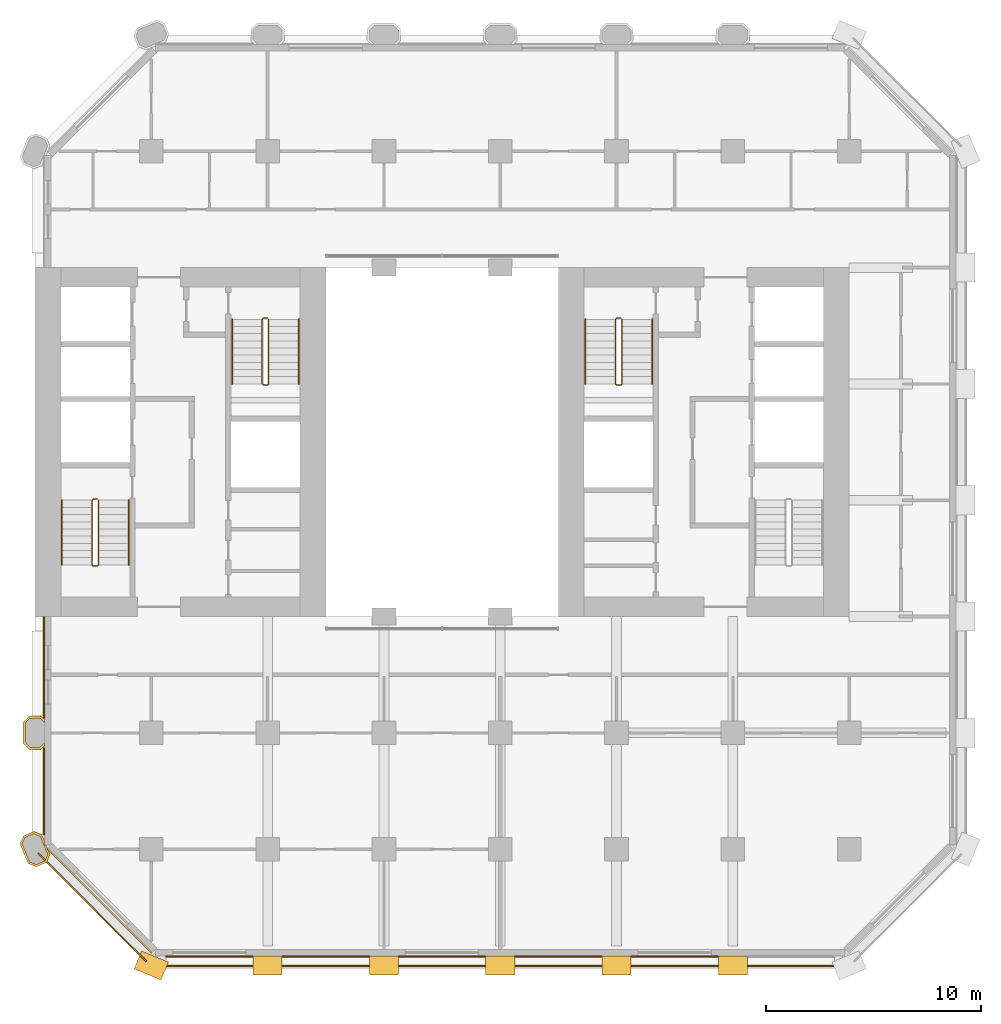
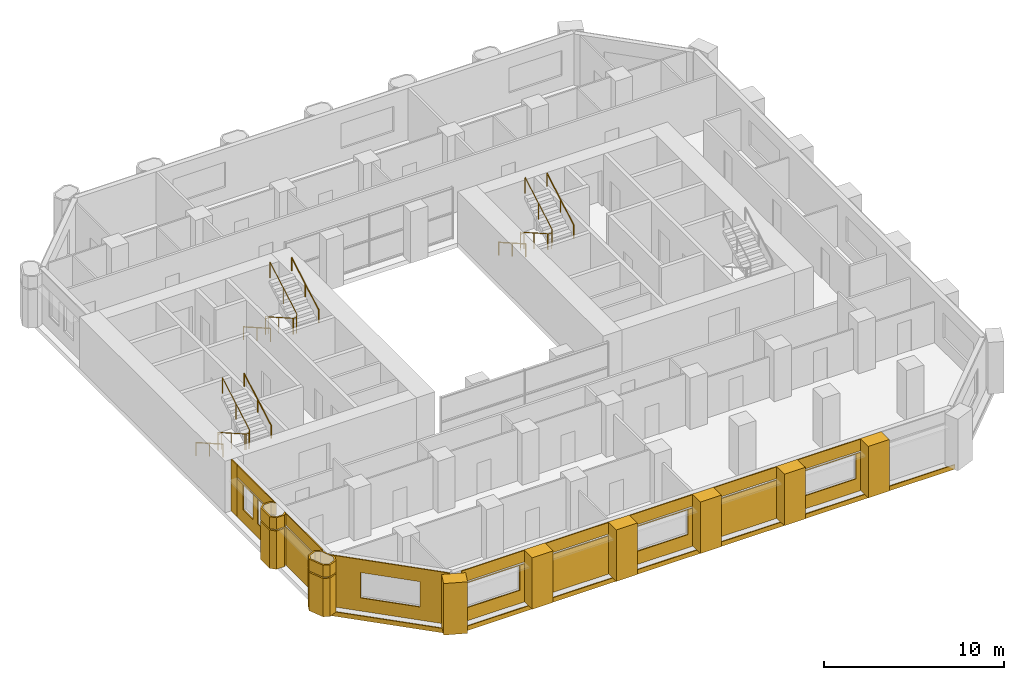
# One storey, part 12 of 13: 28 coverings, 9 railings.
"""IFC4 building model written with IfcOpenShell, lengths in metres."""

from ifc_helpers import new_model, si_unit, direction, frame, frame_2d, origin, origin_2d, place, context, subcontext, project, spatial, polyline, rectangle, circle, outline, extrude, material, layer, layer_set, type_object, element, save


model = new_model("IFC4")

# Units and contexts
model_context = context("Model", 3, precision=1e-05, world=origin(), true_north=direction((0.0, 1.0)))
body_context = subcontext(model_context, "Body", "Model", "MODEL_VIEW")
ifc_project = project(units=[si_unit("LENGTHUNIT", "METRE"), si_unit("AREAUNIT", "SQUARE_METRE"), si_unit("VOLUMEUNIT", "CUBIC_METRE"), si_unit("PLANEANGLEUNIT", "RADIAN"), si_unit("MASSUNIT", "GRAM", prefix="KILO")], contexts=[model_context])

# Site, building, storey
site_placement = place(None, origin())
site = spatial("IfcSite", under=ifc_project, at=site_placement, CompositionType="ELEMENT")
building_placement = place(site_placement, origin())
building = spatial("IfcBuilding", under=site, at=building_placement, Name="Tabaq Tower and Sports Hall", CompositionType="ELEMENT")
storey_placement = place(building_placement, frame((0.0, 0.0, 48.800048828125)))
storey = spatial("IfcBuildingStorey", under=building, at=storey_placement, Name="L10", CompositionType="ELEMENT", Elevation=48.800048828125)

# Coverings
ifc_material_1 = material(Name="Precast concrete C60/75", Category="concrete")
ifc_layer_1 = layer(ifc_material_1, 0.10009765625)
ifc_layer_set_1 = layer_set([ifc_layer_1], Name="Column cladding 100")
covering_type_1 = type_object("IfcCoveringType", Name="Column cladding 100", PredefinedType="CLADDING", material=ifc_layer_set_1)
covering_1_placement = place(storey_placement, origin())
element("IfcCovering", 1, at=covering_1_placement, inside=storey, type_object=covering_type_1, Name="Column cladding L10 PC-2B-O1", PredefinedType="CLADDING", context=body_context, shape_type="SweptSolid", body=[
    extrude(outline(polyline([(5.450439453125, 4.582275390625), (5.080078125, 4.73583984375), (4.7041015625, 5.6435546875), (4.857421875, 6.013916015625), (5.349609375, 6.217529296875), (5.7197265625, 6.064208984375), (5.849609375, 5.750732421875), (5.849609375, 5.586181640625), (5.91796875, 5.586181640625), (5.9814453125, 5.432373046875), (5.9501953125, 5.401123046875), (6.026123046875, 5.3251953125), (6.095947265625, 5.156494140625), (5.9423828125, 4.7861328125), (5.450439453125, 4.582275390625)]), holes=[polyline([(5.349609375, 6.110107421875), (4.93359375, 5.937744140625), (4.811767578125, 5.6435546875), (5.15625, 4.811767578125), (5.450439453125, 4.68994140625), (5.866455078125, 4.8623046875), (5.98828125, 5.156494140625), (5.643798828125, 5.98828125), (5.349609375, 6.110107421875)])]), origin(), (0.0, 0.0, 1.0), 2.599853515625),
])
covering_2_placement = place(storey_placement, frame((0.0, 0.0, 2.699951171875)))
element("IfcCovering", 2, at=covering_2_placement, inside=storey, type_object=covering_type_1, Name="Column cladding L10 PC-2B-O1 2", PredefinedType="CLADDING", context=body_context, shape_type="SweptSolid", body=[
    extrude(outline(polyline([(5.450439453125, 4.582275390625), (5.080078125, 4.73583984375), (4.7041015625, 5.6435546875), (4.857421875, 6.013916015625), (5.349609375, 6.217529296875), (5.7197265625, 6.064208984375), (5.849609375, 5.750732421875), (5.849609375, 5.586181640625), (5.91796875, 5.586181640625), (5.9814453125, 5.432373046875), (5.9501953125, 5.401123046875), (6.026123046875, 5.3251953125), (6.095947265625, 5.156494140625), (5.9423828125, 4.7861328125), (5.450439453125, 4.582275390625)]), holes=[polyline([(5.349609375, 6.110107421875), (4.93359375, 5.937744140625), (4.811767578125, 5.6435546875), (5.15625, 4.811767578125), (5.450439453125, 4.68994140625), (5.866455078125, 4.8623046875), (5.98828125, 5.156494140625), (5.643798828125, 5.98828125), (5.349609375, 6.110107421875)])]), origin(), (0.0, 0.0, 1.0), 0.800048828125),
])
covering_3_placement = place(storey_placement, origin())
element("IfcCovering", 3, at=covering_3_placement, inside=storey, type_object=covering_type_1, Name="Column cladding L10 PC-2C-O1", PredefinedType="CLADDING", context=body_context, shape_type="SweptSolid", body=[
    extrude(outline(polyline([(5.1337890625, 10.025390625), (4.850341796875, 10.30859375), (4.850341796875, 11.291259765625), (5.1337890625, 11.57470703125), (5.666259765625, 11.57470703125), (5.849609375, 11.391357421875), (5.849609375, 11.250732421875), (5.625244140625, 11.475341796875), (5.1748046875, 11.475341796875), (4.94970703125, 11.250244140625), (4.94970703125, 10.349853515625), (5.1748046875, 10.124755859375), (5.625244140625, 10.124755859375), (5.849609375, 10.349365234375), (5.849609375, 10.208740234375), (5.666259765625, 10.025390625), (5.1337890625, 10.025390625)])), origin(), (0.0, 0.0, 1.0), 2.599853515625),
])
covering_4_placement = place(storey_placement, frame((0.0, 0.0, 2.699951171875)))
element("IfcCovering", 4, at=covering_4_placement, inside=storey, type_object=covering_type_1, Name="Column cladding L10 PC-2C-O1 2", PredefinedType="CLADDING", context=body_context, shape_type="SweptSolid", body=[
    extrude(outline(polyline([(5.1337890625, 10.025390625), (4.850341796875, 10.30859375), (4.850341796875, 11.291259765625), (5.1337890625, 11.57470703125), (5.666259765625, 11.57470703125), (5.849609375, 11.391357421875), (5.849609375, 11.250732421875), (5.625244140625, 11.475341796875), (5.1748046875, 11.475341796875), (4.94970703125, 11.250244140625), (4.94970703125, 10.349853515625), (5.1748046875, 10.124755859375), (5.625244140625, 10.124755859375), (5.849609375, 10.349365234375), (5.849609375, 10.208740234375), (5.666259765625, 10.025390625), (5.1337890625, 10.025390625)])), origin(), (0.0, 0.0, 1.0), 0.800048828125),
])
ifc_material_2 = material(Name="Precast concrete C60/75", Category="concrete")
ifc_layer_2 = layer(ifc_material_2, 0.06005859375)
ifc_layer_set_2 = layer_set([ifc_layer_2], Name="Edge beam cladding 60")
covering_type_2 = type_object("IfcCoveringType", Name="Edge beam cladding 60", PredefinedType="CLADDING", material=ifc_layer_set_2)
covering_5_placement = place(storey_placement, frame((11.0986328125, -0.030029296875, -0.300048828125), z_axis=(0.0, 0.0, 1.0), x_axis=(1.0, 0.0, 0.0)))
element("IfcCovering", 5, at=covering_5_placement, inside=storey, type_object=covering_type_2, Name="Edge beam cladding L10 1", PredefinedType="CLADDING", context=body_context, shape_type="SweptSolid", body=[
    extrude(rectangle(XDim=31.802734375, YDim=0.06005859375, at=frame_2d((15.9013671875, 0.0))), origin(), (0.0, 0.0, 1.0), 0.300048828125),
])
covering_6_placement = place(storey_placement, frame((5.5556640625, 5.201904296875, -0.300048828125), z_axis=(0.0, 0.0, 1.0), x_axis=(0.707106781187, -0.707106781187, 0.0)))
element("IfcCovering", 6, at=covering_6_placement, inside=storey, type_object=covering_type_2, Name="Edge beam cladding L10 5", PredefinedType="CLADDING", context=body_context, shape_type="SweptSolid", body=[
    extrude(rectangle(XDim=7.087890625, YDim=0.06005859375, at=frame_2d((3.5439453125, 0.0))), origin(), (0.0, 0.0, 1.0), 0.300048828125),
])
ifc_material_3 = material(Name="White precast concrete C60/75", Category="concrete")
covering_type_3 = type_object("IfcCoveringType", Name="Pier cladding hung 1350x900", PredefinedType="CLADDING", material=ifc_material_3)
for number, where, z_axis, x_axis, name in (
    (7, (10.17626953125, 0.25830078125, 0.0), (0.0, 0.0, 1.0), (0.923893411637, -0.382649923473, 0.0), "Hung pier cladding 2/0"),
    (8, (15.52490234375, 0.0, 0.0), (0.0, 0.0, 1.0), (1.0, 0.0, 0.0), "Hung pier cladding 3/0"),
):
    element("IfcCovering", number, at=place(storey_placement, frame(where, z_axis=z_axis, x_axis=x_axis)), inside=storey, type_object=covering_type_3, Name=name, PredefinedType="CLADDING", context=body_context, shape_type="SweptSolid", body=[
        extrude(rectangle(XDim=1.35009765625, YDim=0.89990234375, at=frame_2d((0.675048828125, 0.0))), origin(), (0.0, 0.0, 1.0), 3.5),
    ])
covering_7_placement = place(storey_placement, frame((20.925048828125, 0.0, 0.0), z_axis=(0.0, 0.0, 1.0), x_axis=(1.0, 0.0, 0.0)))
element("IfcCovering", 9, at=covering_7_placement, inside=storey, type_object=covering_type_3, Name="Hung pier cladding 4/0", PredefinedType="CLADDING", context=body_context, shape_type="SweptSolid", body=[
    extrude(rectangle(XDim=1.349853515625, YDim=0.89990234375, at=frame_2d((0.6748046875, 0.0))), origin(), (0.0, 0.0, 1.0), 3.5),
])
covering_8_placement = place(storey_placement, frame((26.324951171875, 0.0, 0.0), z_axis=(0.0, 0.0, 1.0), x_axis=(1.0, 0.0, 0.0)))
element("IfcCovering", 10, at=covering_8_placement, inside=storey, type_object=covering_type_3, Name="Hung pier cladding 5/0", PredefinedType="CLADDING", context=body_context, shape_type="SweptSolid", body=[
    extrude(rectangle(XDim=1.35009765625, YDim=0.89990234375, at=frame_2d((0.675048828125, 0.0))), origin(), (0.0, 0.0, 1.0), 3.5),
])
covering_9_placement = place(storey_placement, frame((31.72509765625, 0.0, 0.0), z_axis=(0.0, 0.0, 1.0), x_axis=(1.0, 0.0, 0.0)))
element("IfcCovering", 11, at=covering_9_placement, inside=storey, type_object=covering_type_3, Name="Hung pier cladding 6/0", PredefinedType="CLADDING", context=body_context, shape_type="SweptSolid", body=[
    extrude(rectangle(XDim=1.349853515625, YDim=0.89990234375, at=frame_2d((0.6748046875, 0.0))), origin(), (0.0, 0.0, 1.0), 3.5),
])
covering_10_placement = place(storey_placement, frame((37.125, 0.0, 0.0), z_axis=(0.0, 0.0, 1.0), x_axis=(1.0, 0.0, 0.0)))
element("IfcCovering", 12, at=covering_10_placement, inside=storey, type_object=covering_type_3, Name="Hung pier cladding 7/0", PredefinedType="CLADDING", context=body_context, shape_type="SweptSolid", body=[
    extrude(rectangle(XDim=1.35009765625, YDim=0.89990234375, at=frame_2d((0.675048828125, 0.0))), origin(), (0.0, 0.0, 1.0), 3.5),
])

# Railings
ifc_material_4 = material(Name="Stainless steel", Category="steel")
railing_type_1 = type_object("IfcRailingType", Name="Stair guard", PredefinedType="GUARDRAIL", material=ifc_material_4)
railing_1_placement = place(storey_placement, frame((8.300048828125, 21.64990234375, 0.0)))
element("IfcRailing", 13, at=railing_1_placement, inside=storey, type_object=railing_type_1, Name="L10 ST1 stair guard 1", PredefinedType="GUARDRAIL", context=body_context, shape_type="SweptSolid", body=[
    extrude(circle(Radius=0.02392578125, at=origin_2d()), frame((0.0, 0.0, 1.076171875), z_axis=(-1.0, 0.0, 0.0), x_axis=(0.0, -1.0, 0.0)), (0.0, 0.0, 1.0), 0.199951171875),
    extrude(circle(Radius=0.02392578125, at=origin_2d()), frame((-0.199951171875, 0.0, 1.076171875), z_axis=(-0.246983470365, -0.245778672949, 0.937332389972), x_axis=(0.705375805398, -0.708833529934, 0.0)), (0.0, 0.0, 1.0), 0.20263671875),
    extrude(circle(Radius=0.02392578125, at=origin_2d()), frame((-0.25, -0.0498046875, 1.26611328125), z_axis=(0.0, -0.868782136927, 0.495194505781), x_axis=(1.0, 0.0, 0.0)), (0.0, 0.0, 1.0), 3.453125),
    extrude(circle(Radius=0.02392578125, at=origin_2d()), frame((-0.25, -3.0498046875, 2.97607421875), z_axis=(0.707106781187, -0.707106781187, 0.0), x_axis=(0.707106781187, 0.707106781187, 0.0)), (0.0, 0.0, 1.0), 0.07080078125),
    extrude(circle(Radius=0.02392578125, at=origin_2d()), frame((-0.199951171875, -3.099853515625, 2.97607421875), z_axis=(1.0, 0.0, 0.0), x_axis=(0.0, 1.0, 0.0)), (0.0, 0.0, 1.0), 0.199951171875),
    extrude(circle(Radius=0.02392578125, at=origin_2d()), frame((0.0, -3.099853515625, 2.97607421875), z_axis=(0.246910188598, 0.246910188598, 0.937054276727), x_axis=(-0.707106781187, 0.707106781187, 0.0)), (0.0, 0.0, 1.0), 0.20263671875),
    extrude(circle(Radius=0.02392578125, at=origin_2d()), frame((0.050048828125, -3.0498046875, 3.166015625), z_axis=(0.0, 0.868751719353, 0.495247867356), x_axis=(-1.0, 0.0, 0.0)), (0.0, 0.0, 1.0), 3.453125),
    extrude(circle(Radius=0.02099609375, at=origin_2d()), origin(), (0.0, 0.0, 1.0), 1.052001953125),
    extrude(circle(Radius=0.02099609375, at=origin_2d()), frame((-0.199951171875, 0.0, 0.0)), (0.0, 0.0, 1.0), 1.052001953125),
    extrude(circle(Radius=0.02099609375, at=origin_2d()), frame((-0.25, -0.0498046875, 0.18994140625)), (0.0, 0.0, 1.0), 1.052001953125),
    extrude(circle(Radius=0.02099609375, at=origin_2d()), frame((-0.25, -1.5498046875, 1.044921875)), (0.0, 0.0, 1.0), 1.052001953125),
    extrude(circle(Radius=0.02099609375, at=origin_2d()), frame((-0.25, -3.0498046875, 1.89990234375)), (0.0, 0.0, 1.0), 1.052001953125),
    extrude(circle(Radius=0.02099609375, at=origin_2d()), frame((-0.199951171875, -3.099853515625, 1.89990234375)), (0.0, 0.0, 1.0), 1.052001953125),
    extrude(circle(Radius=0.02099609375, at=origin_2d()), frame((0.0, -3.099853515625, 1.89990234375)), (0.0, 0.0, 1.0), 1.052001953125),
    extrude(circle(Radius=0.02099609375, at=origin_2d()), frame((0.050048828125, -3.0498046875, 2.08984375)), (0.0, 0.0, 1.0), 1.052001953125),
    extrude(circle(Radius=0.02099609375, at=origin_2d()), frame((0.050048828125, -1.5498046875, 2.94482421875)), (0.0, 0.0, 1.0), 1.052001953125),
    extrude(circle(Radius=0.02099609375, at=origin_2d()), frame((0.050048828125, -0.0498046875, 3.800048828125)), (0.0, 0.0, 1.0), 1.052001953125),
])
railing_2_placement = place(storey_placement, frame((16.199951171875, 30.050048828125, 0.0)))
element("IfcRailing", 14, at=railing_2_placement, inside=storey, type_object=railing_type_1, Name="L10 ST2 stair guard 1", PredefinedType="GUARDRAIL", context=body_context, shape_type="SweptSolid", body=[
    extrude(circle(Radius=0.02392578125, at=origin_2d()), frame((0.0, 0.0, 1.076171875), z_axis=(-1.0, 0.0, 0.0), x_axis=(0.0, -1.0, 0.0)), (0.0, 0.0, 1.0), 0.199951171875),
    extrude(circle(Radius=0.02392578125, at=origin_2d()), frame((-0.199951171875, 0.0, 1.076171875), z_axis=(-0.246910188598, -0.246910188598, 0.937054276727), x_axis=(0.707106781187, -0.707106781187, 0.0)), (0.0, 0.0, 1.0), 0.20263671875),
    extrude(circle(Radius=0.02392578125, at=origin_2d()), frame((-0.25, -0.050048828125, 1.26611328125), z_axis=(0.0, -0.868782136927, 0.495194505781), x_axis=(1.0, 0.0, 0.0)), (0.0, 0.0, 1.0), 3.453125),
    extrude(circle(Radius=0.02392578125, at=origin_2d()), frame((-0.25, -3.050048828125, 2.97607421875), z_axis=(0.707106781187, -0.707106781187, 0.0), x_axis=(0.707106781187, 0.707106781187, 0.0)), (0.0, 0.0, 1.0), 0.07080078125),
    extrude(circle(Radius=0.02392578125, at=origin_2d()), frame((-0.199951171875, -3.10009765625, 2.97607421875), z_axis=(1.0, 0.0, 0.0), x_axis=(0.0, 1.0, 0.0)), (0.0, 0.0, 1.0), 0.199951171875),
    extrude(circle(Radius=0.02392578125, at=origin_2d()), frame((0.0, -3.10009765625, 2.97607421875), z_axis=(0.246910188598, 0.246910188598, 0.937054276727), x_axis=(-0.707106781187, 0.707106781187, 0.0)), (0.0, 0.0, 1.0), 0.20263671875),
    extrude(circle(Radius=0.02392578125, at=origin_2d()), frame((0.050048828125, -3.050048828125, 3.166015625), z_axis=(0.0, 0.868751719353, 0.495247867356), x_axis=(-1.0, 0.0, 0.0)), (0.0, 0.0, 1.0), 3.453125),
    extrude(circle(Radius=0.02099609375, at=origin_2d()), origin(), (0.0, 0.0, 1.0), 1.052001953125),
    extrude(circle(Radius=0.02099609375, at=origin_2d()), frame((-0.199951171875, 0.0, 0.0)), (0.0, 0.0, 1.0), 1.052001953125),
    extrude(circle(Radius=0.02099609375, at=origin_2d()), frame((-0.25, -0.050048828125, 0.18994140625)), (0.0, 0.0, 1.0), 1.052001953125),
    extrude(circle(Radius=0.02099609375, at=origin_2d()), frame((-0.25, -1.550048828125, 1.044921875)), (0.0, 0.0, 1.0), 1.052001953125),
    extrude(circle(Radius=0.02099609375, at=origin_2d()), frame((-0.25, -3.050048828125, 1.89990234375)), (0.0, 0.0, 1.0), 1.052001953125),
    extrude(circle(Radius=0.02099609375, at=origin_2d()), frame((-0.199951171875, -3.10009765625, 1.89990234375)), (0.0, 0.0, 1.0), 1.052001953125),
    extrude(circle(Radius=0.02099609375, at=origin_2d()), frame((0.0, -3.10009765625, 1.89990234375)), (0.0, 0.0, 1.0), 1.052001953125),
    extrude(circle(Radius=0.02099609375, at=origin_2d()), frame((0.050048828125, -3.050048828125, 2.08984375)), (0.0, 0.0, 1.0), 1.052001953125),
    extrude(circle(Radius=0.02099609375, at=origin_2d()), frame((0.050048828125, -1.550048828125, 2.94482421875)), (0.0, 0.0, 1.0), 1.052001953125),
    extrude(circle(Radius=0.02099609375, at=origin_2d()), frame((0.050048828125, -0.050048828125, 3.800048828125)), (0.0, 0.0, 1.0), 1.052001953125),
])
railing_3_placement = place(storey_placement, frame((32.60009765625, 30.050048828125, 0.0)))
element("IfcRailing", 15, at=railing_3_placement, inside=storey, type_object=railing_type_1, Name="L10 ST4 stair guard 1", PredefinedType="GUARDRAIL", context=body_context, shape_type="SweptSolid", body=[
    extrude(circle(Radius=0.02392578125, at=origin_2d()), frame((0.0, 0.0, 1.076171875), z_axis=(-1.0, 0.0, 0.0), x_axis=(0.0, -1.0, 0.0)), (0.0, 0.0, 1.0), 0.2001953125),
    extrude(circle(Radius=0.02392578125, at=origin_2d()), frame((-0.2001953125, 0.0, 1.076171875), z_axis=(-0.245778672949, -0.246983470365, 0.937332389972), x_axis=(0.708833529934, -0.705375805398, 0.0)), (0.0, 0.0, 1.0), 0.20263671875),
    extrude(circle(Radius=0.02392578125, at=origin_2d()), frame((-0.25, -0.050048828125, 1.26611328125), z_axis=(0.0, -0.868782136927, 0.495194505781), x_axis=(1.0, 0.0, 0.0)), (0.0, 0.0, 1.0), 3.453125),
    extrude(circle(Radius=0.02392578125, at=origin_2d()), frame((-0.25, -3.050048828125, 2.97607421875), z_axis=(0.705375805398, -0.708833529934, 0.0), x_axis=(0.708833529934, 0.705375805398, 0.0)), (0.0, 0.0, 1.0), 0.070556640625),
    extrude(circle(Radius=0.02392578125, at=origin_2d()), frame((-0.2001953125, -3.10009765625, 2.97607421875), z_axis=(1.0, 0.0, 0.0), x_axis=(0.0, 1.0, 0.0)), (0.0, 0.0, 1.0), 0.2001953125),
    extrude(circle(Radius=0.02392578125, at=origin_2d()), frame((0.0, -3.10009765625, 2.97607421875), z_axis=(0.245778672949, 0.246983470365, 0.937332389972), x_axis=(-0.708833529934, 0.705375805398, 0.0)), (0.0, 0.0, 1.0), 0.20263671875),
    extrude(circle(Radius=0.02392578125, at=origin_2d()), frame((0.0498046875, -3.050048828125, 3.166015625), z_axis=(0.0, 0.868751719353, 0.495247867356), x_axis=(-1.0, 0.0, 0.0)), (0.0, 0.0, 1.0), 3.453125),
    extrude(circle(Radius=0.02099609375, at=origin_2d()), origin(), (0.0, 0.0, 1.0), 1.052001953125),
    extrude(circle(Radius=0.02099609375, at=origin_2d()), frame((-0.2001953125, 0.0, 0.0)), (0.0, 0.0, 1.0), 1.052001953125),
    extrude(circle(Radius=0.02099609375, at=origin_2d()), frame((-0.25, -0.050048828125, 0.18994140625)), (0.0, 0.0, 1.0), 1.052001953125),
    extrude(circle(Radius=0.02099609375, at=origin_2d()), frame((-0.25, -1.550048828125, 1.044921875)), (0.0, 0.0, 1.0), 1.052001953125),
    extrude(circle(Radius=0.02099609375, at=origin_2d()), frame((-0.25, -3.050048828125, 1.89990234375)), (0.0, 0.0, 1.0), 1.052001953125),
    extrude(circle(Radius=0.02099609375, at=origin_2d()), frame((-0.2001953125, -3.10009765625, 1.89990234375)), (0.0, 0.0, 1.0), 1.052001953125),
    extrude(circle(Radius=0.02099609375, at=origin_2d()), frame((0.0, -3.10009765625, 1.89990234375)), (0.0, 0.0, 1.0), 1.052001953125),
    extrude(circle(Radius=0.02099609375, at=origin_2d()), frame((0.0498046875, -3.050048828125, 2.08984375)), (0.0, 0.0, 1.0), 1.052001953125),
    extrude(circle(Radius=0.02099609375, at=origin_2d()), frame((0.0498046875, -1.550048828125, 2.94482421875)), (0.0, 0.0, 1.0), 1.052001953125),
    extrude(circle(Radius=0.02099609375, at=origin_2d()), frame((0.0498046875, -0.050048828125, 3.800048828125)), (0.0, 0.0, 1.0), 1.052001953125),
])
ifc_material_5 = material(Name="Stainless steel", Category="steel")
railing_type_2 = type_object("IfcRailingType", Name="Stair handrail", PredefinedType="HANDRAIL", material=ifc_material_5)
railing_4_placement = place(storey_placement, frame((6.64990234375, 21.60009765625, 0.18994140625)))
element("IfcRailing", 16, at=railing_4_placement, inside=storey, type_object=railing_type_2, Name="L10 ST1 stair handrail 1", PredefinedType="HANDRAIL", context=body_context, shape_type="SweptSolid", body=[
    extrude(circle(Radius=0.02392578125, at=origin_2d()), frame((0.0, 0.0, 0.8759765625), z_axis=(0.0, -0.868782136927, 0.495194505781), x_axis=(1.0, 0.0, 0.0)), (0.0, 0.0, 1.0), 3.453125),
    extrude(circle(Radius=0.02099609375, at=origin_2d()), origin(), (0.0, 0.0, 1.0), 0.851806640625),
    extrude(circle(Radius=0.02099609375, at=origin_2d()), frame((0.0, -1.5, 0.85498046875)), (0.0, 0.0, 1.0), 0.851806640625),
    extrude(circle(Radius=0.02099609375, at=origin_2d()), frame((0.0, -3.0, 1.7099609375)), (0.0, 0.0, 1.0), 0.851806640625),
])
railing_5_placement = place(storey_placement, frame((9.75, 18.60009765625, 2.08984375)))
element("IfcRailing", 17, at=railing_5_placement, inside=storey, type_object=railing_type_2, Name="L10 ST1 stair handrail 2", PredefinedType="HANDRAIL", context=body_context, shape_type="SweptSolid", body=[
    extrude(circle(Radius=0.02392578125, at=origin_2d()), frame((0.0, 0.0, 0.8759765625), z_axis=(0.0, 0.868751719353, 0.495247867356), x_axis=(-1.0, 0.0, 0.0)), (0.0, 0.0, 1.0), 3.453125),
    extrude(circle(Radius=0.02099609375, at=origin_2d()), origin(), (0.0, 0.0, 1.0), 0.851806640625),
    extrude(circle(Radius=0.02099609375, at=origin_2d()), frame((0.0, 1.5, 0.85498046875)), (0.0, 0.0, 1.0), 0.851806640625),
    extrude(circle(Radius=0.02099609375, at=origin_2d()), frame((0.0, 3.0, 1.710205078125)), (0.0, 0.0, 1.0), 0.851806640625),
])
railing_6_placement = place(storey_placement, frame((14.550048828125, 30.0, 0.18994140625)))
element("IfcRailing", 18, at=railing_6_placement, inside=storey, type_object=railing_type_2, Name="L10 ST2 stair handrail 1", PredefinedType="HANDRAIL", context=body_context, shape_type="SweptSolid", body=[
    extrude(circle(Radius=0.02392578125, at=origin_2d()), frame((0.0, 0.0, 0.8759765625), z_axis=(0.0, -0.868782136927, 0.495194505781), x_axis=(1.0, 0.0, 0.0)), (0.0, 0.0, 1.0), 3.453125),
    extrude(circle(Radius=0.02099609375, at=origin_2d()), origin(), (0.0, 0.0, 1.0), 0.851806640625),
    extrude(circle(Radius=0.02099609375, at=origin_2d()), frame((0.0, -1.5, 0.85498046875)), (0.0, 0.0, 1.0), 0.851806640625),
    extrude(circle(Radius=0.02099609375, at=origin_2d()), frame((0.0, -3.0, 1.7099609375)), (0.0, 0.0, 1.0), 0.851806640625),
])
railing_7_placement = place(storey_placement, frame((17.64990234375, 27.0, 2.08984375)))
element("IfcRailing", 19, at=railing_7_placement, inside=storey, type_object=railing_type_2, Name="L10 ST2 stair handrail 2", PredefinedType="HANDRAIL", context=body_context, shape_type="SweptSolid", body=[
    extrude(circle(Radius=0.02392578125, at=origin_2d()), frame((0.0, 0.0, 0.8759765625), z_axis=(0.0, 0.868751719353, 0.495247867356), x_axis=(-1.0, 0.0, 0.0)), (0.0, 0.0, 1.0), 3.453125),
    extrude(circle(Radius=0.02099609375, at=origin_2d()), origin(), (0.0, 0.0, 1.0), 0.851806640625),
    extrude(circle(Radius=0.02099609375, at=origin_2d()), frame((0.0, 1.5, 0.85498046875)), (0.0, 0.0, 1.0), 0.851806640625),
    extrude(circle(Radius=0.02099609375, at=origin_2d()), frame((0.0, 3.0, 1.710205078125)), (0.0, 0.0, 1.0), 0.851806640625),
])
railing_8_placement = place(storey_placement, frame((30.949951171875, 30.0, 0.18994140625)))
element("IfcRailing", 20, at=railing_8_placement, inside=storey, type_object=railing_type_2, Name="L10 ST4 stair handrail 1", PredefinedType="HANDRAIL", context=body_context, shape_type="SweptSolid", body=[
    extrude(circle(Radius=0.02392578125, at=origin_2d()), frame((0.0, 0.0, 0.8759765625), z_axis=(0.0, -0.868782136927, 0.495194505781), x_axis=(1.0, 0.0, 0.0)), (0.0, 0.0, 1.0), 3.453125),
    extrude(circle(Radius=0.02099609375, at=origin_2d()), origin(), (0.0, 0.0, 1.0), 0.851806640625),
    extrude(circle(Radius=0.02099609375, at=origin_2d()), frame((0.0, -1.5, 0.85498046875)), (0.0, 0.0, 1.0), 0.851806640625),
    extrude(circle(Radius=0.02099609375, at=origin_2d()), frame((0.0, -3.0, 1.7099609375)), (0.0, 0.0, 1.0), 0.851806640625),
])
railing_9_placement = place(storey_placement, frame((34.050048828125, 27.0, 2.08984375)))
element("IfcRailing", 21, at=railing_9_placement, inside=storey, type_object=railing_type_2, Name="L10 ST4 stair handrail 2", PredefinedType="HANDRAIL", context=body_context, shape_type="SweptSolid", body=[
    extrude(circle(Radius=0.02392578125, at=origin_2d()), frame((0.0, 0.0, 0.8759765625), z_axis=(0.0, 0.868751719353, 0.495247867356), x_axis=(-1.0, 0.0, 0.0)), (0.0, 0.0, 1.0), 3.453125),
    extrude(circle(Radius=0.02099609375, at=origin_2d()), origin(), (0.0, 0.0, 1.0), 0.851806640625),
    extrude(circle(Radius=0.02099609375, at=origin_2d()), frame((0.0, 1.5, 0.85498046875)), (0.0, 0.0, 1.0), 0.851806640625),
    extrude(circle(Radius=0.02099609375, at=origin_2d()), frame((0.0, 3.0, 1.710205078125)), (0.0, 0.0, 1.0), 0.851806640625),
])

# Coverings
ifc_material_6 = material(Name="Precast concrete C60/75", Category="concrete")
ifc_layer_3 = layer(ifc_material_6, 0.06005859375)
ifc_layer_set_3 = layer_set([ifc_layer_3], Name="White precast cladding panel 60 C60/75")
covering_type_4 = type_object("IfcCoveringType", Name="White precast cladding panel 60 C60/75", PredefinedType="CLADDING", material=ifc_layer_set_3)
covering_11_placement = place(storey_placement, frame((11.465087890625, 0.419921875, 0.0), z_axis=(0.0, 0.0, 1.0), x_axis=(1.0, 0.0, 0.0)))
element("IfcCovering", 22, at=covering_11_placement, inside=storey, type_object=covering_type_4, Name="White precast cladding panel L10 wall00", PredefinedType="CLADDING", context=body_context, shape_type="SweptSolid", body=[
    extrude(outline(polyline([(0.0, 0.0), (4.0498046875, 0.0), (4.0498046875, 2.58984375), (0.0, 2.58984375), (0.0, 0.0)]), holes=[polyline([(3.7451171875, 0.889892578125), (0.324951171875, 0.889892578125), (0.324951171875, 2.56005859375), (3.7451171875, 2.56005859375), (3.7451171875, 0.889892578125)])]), frame((0.0, 0.030029296875, 0.0), z_axis=(0.0, -1.0, 0.0), x_axis=(1.0, 0.0, 0.0)), (0.0, 0.0, 1.0), 0.06005859375),
])
covering_12_placement = place(storey_placement, frame((11.465087890625, 0.419921875, 2.7099609375), z_axis=(0.0, 0.0, 1.0), x_axis=(1.0, 0.0, 0.0)))
element("IfcCovering", 23, at=covering_12_placement, inside=storey, type_object=covering_type_4, Name="White precast cladding panel L10 wall00 2", PredefinedType="CLADDING", context=body_context, shape_type="SweptSolid", body=[
    extrude(rectangle(XDim=4.0498046875, YDim=0.06005859375, at=frame_2d((2.02490234375, 0.0))), origin(), (0.0, 0.0, 1.0), 0.7900390625),
])
covering_13_placement = place(storey_placement, frame((16.885009765625, 0.419921875, 0.0), z_axis=(0.0, 0.0, 1.0), x_axis=(1.0, 0.0, 0.0)))
element("IfcCovering", 24, at=covering_13_placement, inside=storey, type_object=covering_type_4, Name="White precast cladding panel L10 wall00 3", PredefinedType="CLADDING", context=body_context, shape_type="SweptSolid", body=[
    extrude(rectangle(XDim=4.030029296875, YDim=0.06005859375, at=frame_2d((2.01513671875, 0.0))), origin(), (0.0, 0.0, 1.0), 2.58984375),
])
covering_14_placement = place(storey_placement, frame((16.885009765625, 0.419921875, 2.7099609375), z_axis=(0.0, 0.0, 1.0), x_axis=(1.0, 0.0, 0.0)))
element("IfcCovering", 25, at=covering_14_placement, inside=storey, type_object=covering_type_4, Name="White precast cladding panel L10 wall00 4", PredefinedType="CLADDING", context=body_context, shape_type="SweptSolid", body=[
    extrude(rectangle(XDim=4.030029296875, YDim=0.06005859375, at=frame_2d((2.01513671875, 0.0))), origin(), (0.0, 0.0, 1.0), 0.7900390625),
])
covering_15_placement = place(storey_placement, frame((22.284912109375, 0.419921875, 0.0), z_axis=(0.0, 0.0, 1.0), x_axis=(1.0, 0.0, 0.0)))
element("IfcCovering", 26, at=covering_15_placement, inside=storey, type_object=covering_type_4, Name="White precast cladding panel L10 wall00 5", PredefinedType="CLADDING", context=body_context, shape_type="SweptSolid", body=[
    extrude(outline(polyline([(0.0, 0.0), (4.030029296875, 0.0), (4.030029296875, 2.58984375), (0.0, 2.58984375), (0.0, 0.0)]), holes=[polyline([(3.72509765625, 0.889892578125), (0.304931640625, 0.889892578125), (0.304931640625, 2.56005859375), (3.72509765625, 2.56005859375), (3.72509765625, 0.889892578125)])]), frame((0.0, 0.030029296875, 0.0), z_axis=(0.0, -1.0, 0.0), x_axis=(1.0, 0.0, 0.0)), (0.0, 0.0, 1.0), 0.06005859375),
])
covering_16_placement = place(storey_placement, frame((22.284912109375, 0.419921875, 2.7099609375), z_axis=(0.0, 0.0, 1.0), x_axis=(1.0, 0.0, 0.0)))
element("IfcCovering", 27, at=covering_16_placement, inside=storey, type_object=covering_type_4, Name="White precast cladding panel L10 wall00 6", PredefinedType="CLADDING", context=body_context, shape_type="SweptSolid", body=[
    extrude(rectangle(XDim=4.030029296875, YDim=0.06005859375, at=frame_2d((2.01513671875, 0.0))), origin(), (0.0, 0.0, 1.0), 0.7900390625),
])
covering_17_placement = place(storey_placement, frame((27.68505859375, 0.419921875, 0.0), z_axis=(0.0, 0.0, 1.0), x_axis=(1.0, 0.0, 0.0)))
element("IfcCovering", 28, at=covering_17_placement, inside=storey, type_object=covering_type_4, Name="White precast cladding panel L10 wall00 7", PredefinedType="CLADDING", context=body_context, shape_type="SweptSolid", body=[
    extrude(rectangle(XDim=4.030029296875, YDim=0.06005859375, at=frame_2d((2.01513671875, 0.0))), origin(), (0.0, 0.0, 1.0), 2.58984375),
])
covering_18_placement = place(storey_placement, frame((27.68505859375, 0.419921875, 2.7099609375), z_axis=(0.0, 0.0, 1.0), x_axis=(1.0, 0.0, 0.0)))
element("IfcCovering", 29, at=covering_18_placement, inside=storey, type_object=covering_type_4, Name="White precast cladding panel L10 wall00 8", PredefinedType="CLADDING", context=body_context, shape_type="SweptSolid", body=[
    extrude(rectangle(XDim=4.030029296875, YDim=0.06005859375, at=frame_2d((2.01513671875, 0.0))), origin(), (0.0, 0.0, 1.0), 0.7900390625),
])
covering_19_placement = place(storey_placement, frame((33.0849609375, 0.419921875, 0.0), z_axis=(0.0, 0.0, 1.0), x_axis=(1.0, 0.0, 0.0)))
element("IfcCovering", 30, at=covering_19_placement, inside=storey, type_object=covering_type_4, Name="White precast cladding panel L10 wall00 9", PredefinedType="CLADDING", context=body_context, shape_type="SweptSolid", body=[
    extrude(outline(polyline([(0.0, 0.0), (4.030029296875, 0.0), (4.030029296875, 2.58984375), (0.0, 2.58984375), (0.0, 0.0)]), holes=[polyline([(3.72509765625, 0.889892578125), (0.304931640625, 0.889892578125), (0.304931640625, 2.56005859375), (3.72509765625, 2.56005859375), (3.72509765625, 0.889892578125)])]), frame((0.0, 0.030029296875, 0.0), z_axis=(0.0, -1.0, 0.0), x_axis=(1.0, 0.0, 0.0)), (0.0, 0.0, 1.0), 0.06005859375),
])
covering_20_placement = place(storey_placement, frame((33.0849609375, 0.419921875, 2.7099609375), z_axis=(0.0, 0.0, 1.0), x_axis=(1.0, 0.0, 0.0)))
element("IfcCovering", 31, at=covering_20_placement, inside=storey, type_object=covering_type_4, Name="White precast cladding panel L10 wall00 10", PredefinedType="CLADDING", context=body_context, shape_type="SweptSolid", body=[
    extrude(rectangle(XDim=4.030029296875, YDim=0.06005859375, at=frame_2d((2.01513671875, 0.0))), origin(), (0.0, 0.0, 1.0), 0.7900390625),
])
covering_21_placement = place(storey_placement, frame((5.820068359375, 16.199951171875, 0.0), z_axis=(0.0, 0.0, 1.0), x_axis=(0.0, -1.0, 0.0)))
element("IfcCovering", 32, at=covering_21_placement, inside=storey, type_object=covering_type_4, Name="White precast cladding panel L10 wall06-1", PredefinedType="CLADDING", context=body_context, shape_type="SweptSolid", body=[
    extrude(rectangle(XDim=0.6650390625, YDim=0.06005859375, at=frame_2d((0.33251953125, 0.0))), origin(), (0.0, 0.0, 1.0), 3.5),
])
covering_22_placement = place(storey_placement, frame((5.820068359375, 15.534912109375, 0.0), z_axis=(0.0, 0.0, 1.0), x_axis=(0.0, -1.0, 0.0)))
element("IfcCovering", 33, at=covering_22_placement, inside=storey, type_object=covering_type_4, Name="White precast cladding panel L10 wall06-1 2", PredefinedType="CLADDING", context=body_context, shape_type="SweptSolid", body=[
    extrude(outline(polyline([(0.0, 0.0), (4.0498046875, 0.0), (4.0498046875, 2.58984375), (0.0, 2.58984375), (0.0, 0.0)]), holes=[polyline([(0.675048828125, 0.889892578125), (0.675048828125, 2.56005859375), (1.794921875, 2.56005859375), (1.794921875, 0.889892578125), (0.675048828125, 0.889892578125)]), polyline([(2.27490234375, 0.889892578125), (2.27490234375, 2.56005859375), (3.39501953125, 2.56005859375), (3.39501953125, 0.889892578125), (2.27490234375, 0.889892578125)])]), frame((0.0, 0.030029296875, 0.0), z_axis=(0.0, -1.0, 0.0), x_axis=(1.0, 0.0, 0.0)), (0.0, 0.0, 1.0), 0.06005859375),
])
covering_23_placement = place(storey_placement, frame((5.820068359375, 15.534912109375, 2.7099609375), z_axis=(0.0, 0.0, 1.0), x_axis=(0.0, -1.0, 0.0)))
element("IfcCovering", 34, at=covering_23_placement, inside=storey, type_object=covering_type_4, Name="White precast cladding panel L10 wall06-1 3", PredefinedType="CLADDING", context=body_context, shape_type="SweptSolid", body=[
    extrude(rectangle(XDim=4.0498046875, YDim=0.06005859375, at=frame_2d((2.02490234375, 0.0))), origin(), (0.0, 0.0, 1.0), 0.7900390625),
])
covering_24_placement = place(storey_placement, frame((5.820068359375, 10.114990234375, 0.0), z_axis=(0.0, 0.0, 1.0), x_axis=(0.0, -1.0, 0.0)))
element("IfcCovering", 35, at=covering_24_placement, inside=storey, type_object=covering_type_4, Name="White precast cladding panel L10 wall06-1 4", PredefinedType="CLADDING", context=body_context, shape_type="SweptSolid", body=[
    extrude(rectangle(XDim=4.050048828125, YDim=0.06005859375, at=frame_2d((2.02490234375, 0.0))), origin(), (0.0, 0.0, 1.0), 2.58984375),
])
covering_25_placement = place(storey_placement, frame((5.820068359375, 10.114990234375, 2.7099609375), z_axis=(0.0, 0.0, 1.0), x_axis=(0.0, -1.0, 0.0)))
element("IfcCovering", 36, at=covering_25_placement, inside=storey, type_object=covering_type_4, Name="White precast cladding panel L10 wall06-1 5", PredefinedType="CLADDING", context=body_context, shape_type="SweptSolid", body=[
    extrude(rectangle(XDim=4.050048828125, YDim=0.06005859375, at=frame_2d((2.02490234375, 0.0))), origin(), (0.0, 0.0, 1.0), 0.7900390625),
])
covering_26_placement = place(storey_placement, frame((5.9716796875, 5.42236328125, 0.0), z_axis=(0.0, 0.0, 1.0), x_axis=(0.707106781187, -0.707106781187, 0.0)))
element("IfcCovering", 37, at=covering_26_placement, inside=storey, type_object=covering_type_4, Name="White precast cladding panel L10 wall07", PredefinedType="CLADDING", context=body_context, shape_type="SweptSolid", body=[
    extrude(outline(polyline([(0.0, 0.0), (6.85986328125, 0.0), (6.85986328125, 3.5), (0.0, 3.5), (0.0, 0.0)]), holes=[polyline([(1.7197265625, 0.889892578125), (1.7197265625, 2.60986328125), (5.139892578125, 2.60986328125), (5.139892578125, 0.889892578125), (1.7197265625, 0.889892578125)])]), frame((0.0, 0.030029296875, 0.0), z_axis=(0.0, -1.0, 0.0), x_axis=(1.0, 0.0, 0.0)), (0.0, 0.0, 1.0), 0.06005859375),
])

save(model, "model.ifc")
